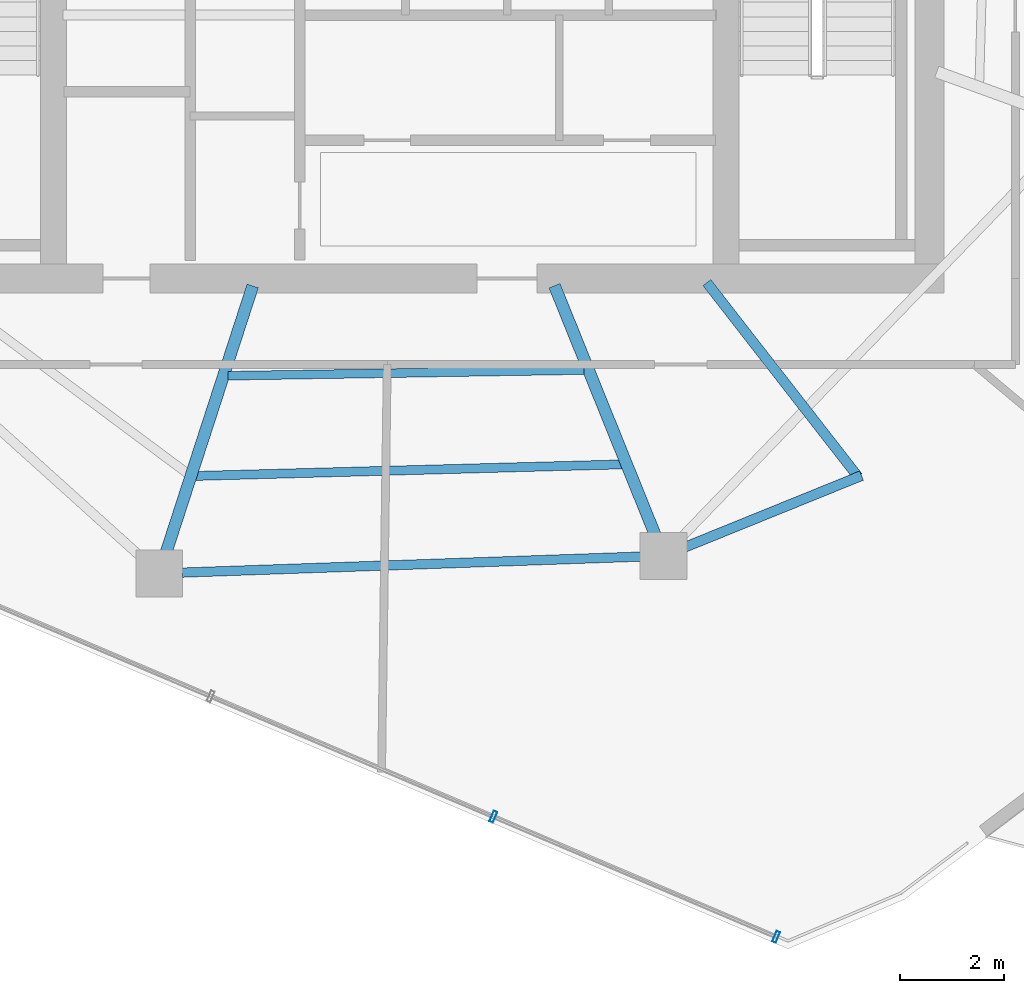
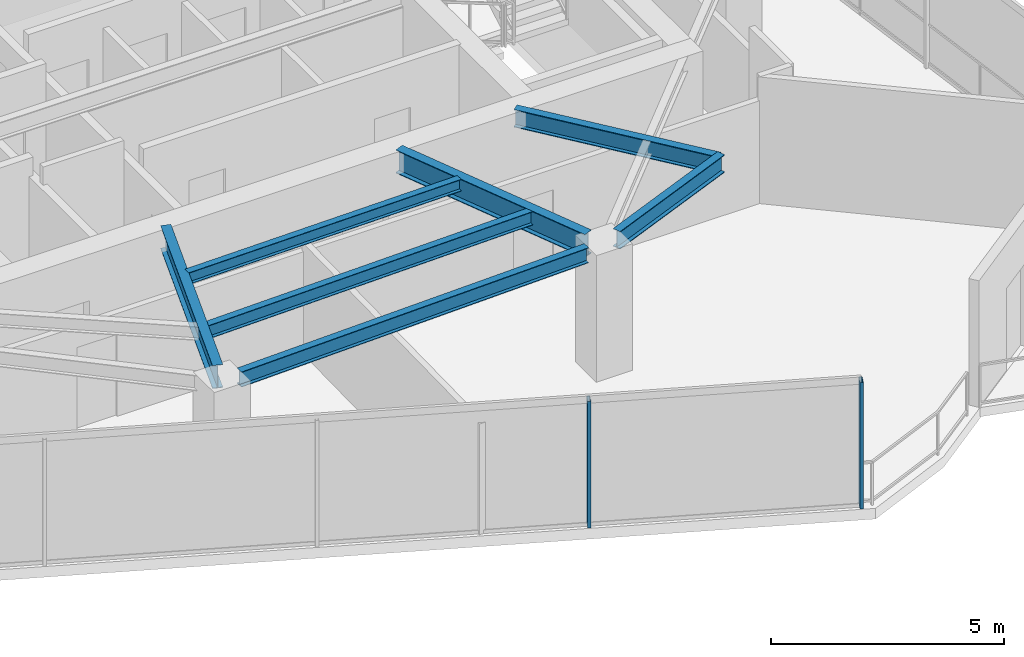
# One storey, part 3 of 18: 7 beams, 2 members, 1 element without a shape of its own.
"""IFC4 building model written with IfcOpenShell, lengths in metres."""

from ifc_helpers import new_model, si_unit, direction, frame, origin, origin_2d, place, context, subcontext, project, spatial, hollow_rectangle, i_section, extrude, material, layer, layer_set, material_profile, profile_set, type_object, element, aggregate, save


model = new_model("IFC4")

# Units and contexts
model_context = context("Model", 3, precision=1e-05, world=origin(), true_north=direction((0.0, 1.0)))
body_context = subcontext(model_context, "Body", "Model", "MODEL_VIEW")
ifc_project = project(units=[si_unit("LENGTHUNIT", "METRE"), si_unit("AREAUNIT", "SQUARE_METRE"), si_unit("VOLUMEUNIT", "CUBIC_METRE"), si_unit("PLANEANGLEUNIT", "RADIAN"), si_unit("MASSUNIT", "GRAM", prefix="KILO")], contexts=[model_context])

# Site, building, storey
site_placement = place(None, origin())
site = spatial("IfcSite", under=ifc_project, at=site_placement, CompositionType="ELEMENT")
building_placement = place(site_placement, origin())
building = spatial("IfcBuilding", under=site, at=building_placement, Name="Qarnah Convention Tower", CompositionType="ELEMENT")
storey_placement = place(building_placement, frame((0.0, 0.0, 205.800048828125)))
storey = spatial("IfcBuildingStorey", under=building, at=storey_placement, Name="L55", CompositionType="ELEMENT", Elevation=205.800048828125)

# Beams
ifc_material_1 = material(Name="Structural steel S355JR", Category="steel")
ifc_material_profile_1 = material_profile(ifc_material_1, i_section(OverallWidth=0.19189453125, OverallDepth=0.464111328125, WebThickness=0.010986328125, FlangeThickness=0.01806640625, at=origin_2d()), Name="W460X89")
ifc_profile_set_1 = profile_set([ifc_material_profile_1], Name="Structural steel S355JR")
beam_type_1 = type_object("IfcBeamType", Name="BM-CANT-W460A", PredefinedType="BEAM", material=ifc_profile_set_1)
beam_1_placement = place(storey_placement, frame((43.3310546875, 18.52099609375, 3.087890625), z_axis=(0.614241094698, -0.789118417973, 0.0), x_axis=(0.789118417973, 0.614241094698, 0.0)))
element("IfcBeam", 1, at=beam_1_placement, inside=storey, type_object=beam_type_1, Name="L55 beam BM-L55-CNT-03-1", PredefinedType="BEAM", context=body_context, shape_type="SweptSolid", body=[
    extrude(i_section(OverallWidth=0.19189453125, OverallDepth=0.464111328125, WebThickness=0.010986328125, FlangeThickness=0.01806640625, at=origin_2d()), origin(), (0.0, 0.0, 1.0), 4.724365234375),
])
beam_2_placement = place(storey_placement, frame((46.298095703125, 14.819091796875, 3.087890625), z_axis=(-0.926735498901, -0.375714406268, 0.0), x_axis=(0.375714406268, -0.926735498901, 0.0)))
element("IfcBeam", 2, at=beam_2_placement, inside=storey, type_object=beam_type_1, Name="L55 spandrel BM-L55-CTIE-03", PredefinedType="SPANDREL", context=body_context, shape_type="SweptSolid", body=[
    extrude(i_section(OverallWidth=0.19189453125, OverallDepth=0.464111328125, WebThickness=0.010986328125, FlangeThickness=0.01806640625, at=origin_2d()), origin(), (0.0, 0.0, 1.0), 3.656982421875),
])
ifc_material_profile_2 = material_profile(ifc_material_1, i_section(OverallWidth=0.166015625, OverallDepth=0.31201171875, WebThickness=0.007080078125, FlangeThickness=0.010986328125, at=origin_2d()), Name="W310X45")
ifc_profile_set_2 = profile_set([ifc_material_profile_2], Name="Structural steel S355JR")
beam_type_2 = type_object("IfcBeamType", Name="BM-JST-W310", PredefinedType="JOIST", material=ifc_profile_set_2)
beam_3_placement = place(storey_placement, frame((34.14794921875, 16.73388671875, 3.1640625), z_axis=(0.999872111544, 0.015992515614, 0.0), x_axis=(-0.015992515614, 0.999872111544, 0.0)))
element("IfcBeam", 3, at=beam_3_placement, inside=storey, type_object=beam_type_2, Name="L55 joist BM-L55-IJST-07", PredefinedType="JOIST", context=body_context, shape_type="SweptSolid", body=[
    extrude(i_section(OverallWidth=0.166015625, OverallDepth=0.31201171875, WebThickness=0.007080078125, FlangeThickness=0.010986328125, at=origin_2d()), origin(), (0.0, 0.0, 1.0), 6.823974609375),
])
ifc_material_profile_3 = material_profile(ifc_material_1, i_section(OverallWidth=0.172119140625, OverallDepth=0.35595703125, WebThickness=0.007080078125, FlangeThickness=0.011962890625, at=origin_2d()), Name="W360X51")
ifc_profile_set_3 = profile_set([ifc_material_profile_3], Name="Structural steel S355JR")
beam_type_3 = type_object("IfcBeamType", Name="BM-JST-W360", PredefinedType="JOIST", material=ifc_profile_set_3)
beam_4_placement = place(storey_placement, frame((33.52392578125, 14.81201171875, 3.141845703125), z_axis=(0.999632001403, 0.027126772227, 0.0), x_axis=(-0.027126772227, 0.999632001403, 0.0)))
element("IfcBeam", 4, at=beam_4_placement, inside=storey, type_object=beam_type_3, Name="L55 joist BM-L55-SJST-07", PredefinedType="JOIST", context=body_context, shape_type="SweptSolid", body=[
    extrude(i_section(OverallWidth=0.172119140625, OverallDepth=0.35595703125, WebThickness=0.007080078125, FlangeThickness=0.011962890625, at=origin_2d()), origin(), (0.0, 0.0, 1.0), 8.180908203125),
])
ifc_material_profile_4 = material_profile(ifc_material_1, i_section(OverallWidth=0.22802734375, OverallDepth=0.60791015625, WebThickness=0.010986328125, FlangeThickness=0.01708984375, at=origin_2d()), Name="W610X113")
ifc_profile_set_4 = profile_set([ifc_material_profile_4], Name="Structural steel S355JR")
beam_type_4 = type_object("IfcBeamType", Name="BM-RAD-W610B", PredefinedType="BEAM", material=ifc_profile_set_4)
beam_5_placement = place(storey_placement, frame((34.618896484375, 18.45703125, 3.015869140625), z_axis=(-0.309055218988, -0.951044095516, 0.0), x_axis=(0.951044095516, -0.309055218988, 0.0)))
element("IfcBeam", 5, at=beam_5_placement, inside=storey, type_object=beam_type_4, Name="L55 beam BM-L55-RAD-07", PredefinedType="BEAM", context=body_context, shape_type="SweptSolid", body=[
    extrude(i_section(OverallWidth=0.22802734375, OverallDepth=0.60791015625, WebThickness=0.010986328125, FlangeThickness=0.01708984375, at=origin_2d()), origin(), (0.0, 0.0, 1.0), 5.36767578125),
])
beam_6_placement = place(storey_placement, frame((40.407958984375, 18.4609375, 3.015869140625), z_axis=(0.374620360642, -0.927178292127, 0.0), x_axis=(0.927178292127, 0.374620360642, 0.0)))
element("IfcBeam", 6, at=beam_6_placement, inside=storey, type_object=beam_type_4, Name="L55 beam BM-L55-RAD-08", PredefinedType="BEAM", context=body_context, shape_type="SweptSolid", body=[
    extrude(i_section(OverallWidth=0.22802734375, OverallDepth=0.60791015625, WebThickness=0.010986328125, FlangeThickness=0.01708984375, at=origin_2d()), origin(), (0.0, 0.0, 1.0), 5.157470703125),
])
ifc_material_profile_5 = material_profile(ifc_material_1, i_section(OverallWidth=0.179931640625, OverallDepth=0.39990234375, WebThickness=0.009033203125, FlangeThickness=0.013916015625, at=origin_2d()), Name="IPE400")
ifc_profile_set_5 = profile_set([ifc_material_profile_5], Name="Structural steel S355JR")
beam_type_5 = type_object("IfcBeamType", Name="BM-SPN-IPE400", PredefinedType="SPANDREL", material=ifc_profile_set_5)
beam_7_placement = place(storey_placement, frame((33.26708984375, 12.9580078125, 3.119873046875), z_axis=(0.999391645542, 0.034876049374, 0.0), x_axis=(-0.034876049374, 0.999391645542, 0.0)))
element("IfcBeam", 7, at=beam_7_placement, inside=storey, type_object=beam_type_5, Name="L55 spandrel BM-L55-SPN-07", PredefinedType="SPANDREL", context=body_context, shape_type="SweptSolid", body=[
    extrude(i_section(OverallWidth=0.179931640625, OverallDepth=0.39990234375, WebThickness=0.009033203125, FlangeThickness=0.013916015625, at=origin_2d()), origin(), (0.0, 0.0, 1.0), 8.79931640625),
])

# Curtain wall, members
ifc_material_2 = material(Name="Tempered Low-E dark glass", Category="glass")
ifc_layer = layer(ifc_material_2, 0.174072265625)
ifc_layer_set = layer_set([ifc_layer], Name="Tempered Low-E dark glass")
curtain_wall_type = type_object("IfcCurtainWallType", Name="CWS-04", PredefinedType="NOTDEFINED", material=ifc_layer_set)
curtain_wall_placement = place(storey_placement, origin())
curtain_wall = element("IfcCurtainWall", 8, at=curtain_wall_placement, inside=storey, type_object=curtain_wall_type, Name="L55 unitised curtain wall CW-L55-F1", PredefinedType="NOTDEFINED")
ifc_material_3 = material(Name="Black anodised aluminium", Category="aluminium")
ifc_material_profile_6 = material_profile(ifc_material_3, hollow_rectangle(XDim=0.074951171875, YDim=0.219970703125, WallThickness=0.0048828125, at=origin_2d()), Name="MUL-75X220")
ifc_profile_set_6 = profile_set([ifc_material_profile_6], Name="Black anodised aluminium")
member_type = type_object("IfcMemberType", Name="MUL-T4", PredefinedType="MULLION", material=ifc_profile_set_6)
member_1_placement = place(storey_placement, frame((44.658935546875, 5.968994140625, 0.0), z_axis=(0.0, 0.0, 1.0), x_axis=(-0.920229798126, 0.391378485155, 0.0)))
member_1 = element("IfcMember", 9, at=member_1_placement, type_object=member_type, Name="CW-L55-F1 mullion 1", PredefinedType="MULLION", context=body_context, shape_type="SweptSolid", body=[
    extrude(hollow_rectangle(XDim=0.074951171875, YDim=0.219970703125, WallThickness=0.0048828125, at=origin_2d()), origin(), (0.0, 0.0, 1.0), 3.320068359375),
])
member_2_placement = place(storey_placement, frame((39.235595703125, 8.275634765625, 0.0), z_axis=(0.0, 0.0, 1.0), x_axis=(-0.920229798126, 0.391378485155, 0.0)))
member_2 = element("IfcMember", 10, at=member_2_placement, type_object=member_type, Name="CW-L55-F1 mullion 2", PredefinedType="MULLION", context=body_context, shape_type="SweptSolid", body=[
    extrude(hollow_rectangle(XDim=0.074951171875, YDim=0.219970703125, WallThickness=0.0048828125, at=origin_2d()), origin(), (0.0, 0.0, 1.0), 3.320068359375),
])
aggregate(curtain_wall, [member_1, member_2])

save(model, "model.ifc")
